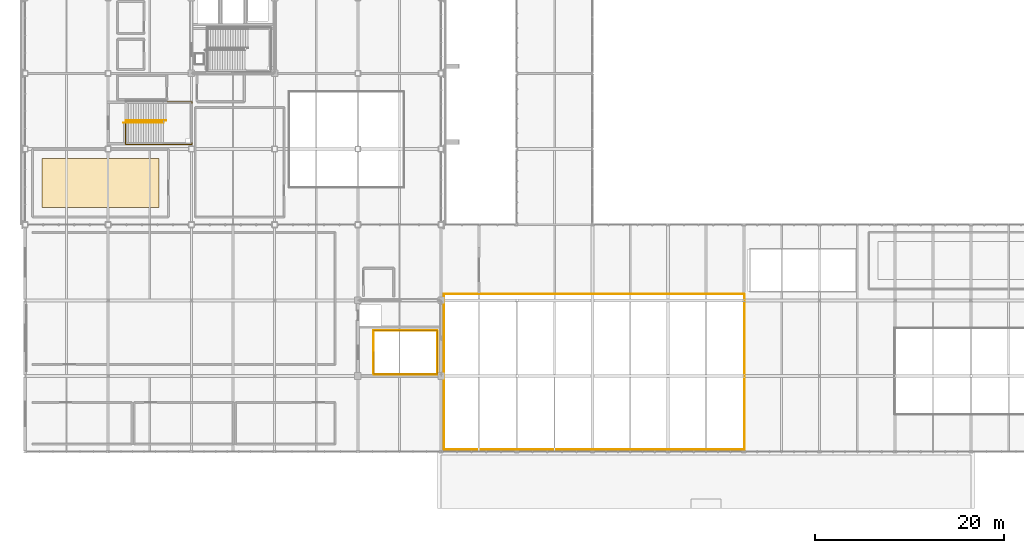
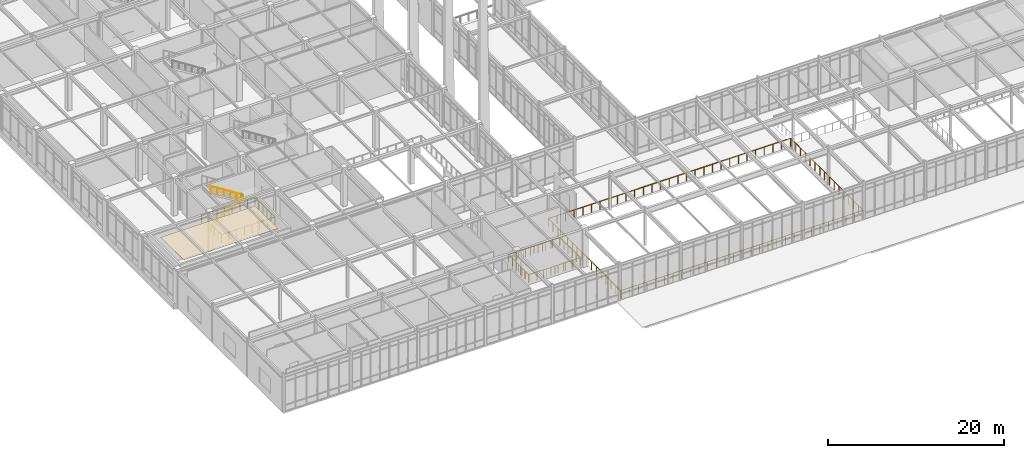
# One storey, part 172 of 184: 8 railings, 1 covering.
"""IFC4 building model written with IfcOpenShell, lengths in metres."""

from ifc_helpers import new_model, si_unit, direction, frame, origin, origin_2d, place, context, subcontext, project, spatial, rectangle, circle, extrude, material, layer, layer_set, type_object, element, save


model = new_model("IFC4")

# Units and contexts
model_context = context("Model", 3, precision=1e-05, world=origin(), true_north=direction((0.0, 1.0)))
body_context = subcontext(model_context, "Body", "Model", "MODEL_VIEW")
ifc_project = project(units=[si_unit("LENGTHUNIT", "METRE"), si_unit("AREAUNIT", "SQUARE_METRE"), si_unit("VOLUMEUNIT", "CUBIC_METRE"), si_unit("PLANEANGLEUNIT", "RADIAN"), si_unit("MASSUNIT", "GRAM", prefix="KILO")], contexts=[model_context])

# Site, building, storey
site_placement = place(None, origin())
site = spatial("IfcSite", under=ifc_project, at=site_placement, CompositionType="ELEMENT")
building_placement = place(site_placement, origin())
building = spatial("IfcBuilding", under=site, at=building_placement, Name="Zhaolan Boulevard Law Courts", CompositionType="ELEMENT")
storey_placement = place(building_placement, frame((0.0, 0.0, 5.39990234375)))
storey = spatial("IfcBuildingStorey", under=building, at=storey_placement, Name="L01", CompositionType="ELEMENT", Elevation=5.39990234375)

# Covering
ifc_material_1 = material(Name="Perforated acoustic gypsum and timber-slat ceiling", Category="wood")
ifc_layer = layer(ifc_material_1, 0.034912109375)
ifc_layer_set = layer_set([ifc_layer])
covering_type = type_object("IfcCoveringType", Name="ACOUSTIC CEILING 35", PredefinedType="CEILING", material=ifc_layer_set)
covering_placement = place(storey_placement, frame((8.0, 34.39990234375, 4.71240234375), z_axis=(0.0, 0.0, 1.0), x_axis=(1.0, 0.0, 0.0)))
element("IfcCovering", 1, at=covering_placement, inside=storey, type_object=covering_type, Name="Acoustic Baffle Ceiling CLG-06", PredefinedType="CEILING", context=body_context, shape_type="SweptSolid", body=[
    extrude(rectangle(XDim=12.39990234375, YDim=5.199951171875, at=origin_2d()), origin(), (0.0, 0.0, 1.0), 0.034912109375),
])

# Railings
ifc_material_2 = material(Name="Powder-coated steel and tempered laminated glass", Category="steel")
railing_type_1 = type_object("IfcRailingType", Name="INTERIOR GUARDRAIL 1150", PredefinedType="GUARDRAIL", material=ifc_material_2)
railing_1_placement = place(storey_placement, frame((36.909912109375, 14.169921875, 0.0)))
element("IfcRailing", 2, at=railing_1_placement, inside=storey, type_object=railing_type_1, Name="Atrium Gallery Guardrail VG-1-V4-3A", PredefinedType="GUARDRAIL", context=body_context, shape_type="SweptSolid", body=[
    extrude(circle(Radius=0.02490234375, at=origin_2d()), frame((0.0, 0.0, 1.125), z_axis=(1.0, 0.0, 0.0), x_axis=(0.0, 1.0, 0.0)), (0.0, 0.0, 1.0), 6.719970703125),
    extrude(circle(Radius=0.02490234375, at=origin_2d()), frame((6.719970703125, 0.0, 1.125), z_axis=(0.0, 1.0, 0.0), x_axis=(-1.0, 0.0, 0.0)), (0.0, 0.0, 1.0), 4.6201171875),
    extrude(circle(Radius=0.02099609375, at=origin_2d()), origin(), (0.0, 0.0, 1.0), 1.099853515625),
    extrude(circle(Radius=0.02099609375, at=origin_2d()), frame((1.1201171875, 0.0, 0.0)), (0.0, 0.0, 1.0), 1.099853515625),
    extrude(circle(Radius=0.02099609375, at=origin_2d()), frame((2.239990234375, 0.0, 0.0)), (0.0, 0.0, 1.0), 1.099853515625),
    extrude(circle(Radius=0.02099609375, at=origin_2d()), frame((3.35986328125, 0.0, 0.0)), (0.0, 0.0, 1.0), 1.099853515625),
    extrude(circle(Radius=0.02099609375, at=origin_2d()), frame((4.47998046875, 0.0, 0.0)), (0.0, 0.0, 1.0), 1.099853515625),
    extrude(circle(Radius=0.02099609375, at=origin_2d()), frame((5.60009765625, 0.0, 0.0)), (0.0, 0.0, 1.0), 1.099853515625),
    extrude(circle(Radius=0.02099609375, at=origin_2d()), frame((6.719970703125, 0.0, 0.0)), (0.0, 0.0, 1.0), 1.099853515625),
    extrude(circle(Radius=0.02099609375, at=origin_2d()), frame((6.719970703125, 0.924072265625, 0.0)), (0.0, 0.0, 1.0), 1.099853515625),
    extrude(circle(Radius=0.02099609375, at=origin_2d()), frame((6.719970703125, 1.84814453125, 0.0)), (0.0, 0.0, 1.0), 1.099853515625),
    extrude(circle(Radius=0.02099609375, at=origin_2d()), frame((6.719970703125, 2.77197265625, 0.0)), (0.0, 0.0, 1.0), 1.099853515625),
    extrude(circle(Radius=0.02099609375, at=origin_2d()), frame((6.719970703125, 3.696044921875, 0.0)), (0.0, 0.0, 1.0), 1.099853515625),
    extrude(circle(Radius=0.02099609375, at=origin_2d()), frame((6.719970703125, 4.6201171875, 0.0)), (0.0, 0.0, 1.0), 1.099853515625),
])
railing_2_placement = place(storey_placement, frame((43.570068359375, 18.830078125, 0.0)))
element("IfcRailing", 3, at=railing_2_placement, inside=storey, type_object=railing_type_1, Name="Atrium Gallery Guardrail VG-1-V4-3B", PredefinedType="GUARDRAIL", context=body_context, shape_type="SweptSolid", body=[
    extrude(circle(Radius=0.02490234375, at=origin_2d()), frame((0.0, 0.0, 1.125), z_axis=(-1.0, 0.0, 0.0), x_axis=(0.0, -1.0, 0.0)), (0.0, 0.0, 1.0), 6.699951171875),
    extrude(circle(Radius=0.02490234375, at=origin_2d()), frame((-6.699951171875, 0.0, 1.125), z_axis=(0.0, -1.0, 0.0), x_axis=(1.0, 0.0, 0.0)), (0.0, 0.0, 1.0), 4.60009765625),
    extrude(circle(Radius=0.02099609375, at=origin_2d()), origin(), (0.0, 0.0, 1.0), 1.099853515625),
    extrude(circle(Radius=0.02099609375, at=origin_2d()), frame((-1.11669921875, 0.0, 0.0)), (0.0, 0.0, 1.0), 1.099853515625),
    extrude(circle(Radius=0.02099609375, at=origin_2d()), frame((-2.2333984375, 0.0, 0.0)), (0.0, 0.0, 1.0), 1.099853515625),
    extrude(circle(Radius=0.02099609375, at=origin_2d()), frame((-3.35009765625, 0.0, 0.0)), (0.0, 0.0, 1.0), 1.099853515625),
    extrude(circle(Radius=0.02099609375, at=origin_2d()), frame((-4.466552734375, 0.0, 0.0)), (0.0, 0.0, 1.0), 1.099853515625),
    extrude(circle(Radius=0.02099609375, at=origin_2d()), frame((-5.583251953125, 0.0, 0.0)), (0.0, 0.0, 1.0), 1.099853515625),
    extrude(circle(Radius=0.02099609375, at=origin_2d()), frame((-6.699951171875, 0.0, 0.0)), (0.0, 0.0, 1.0), 1.099853515625),
    extrude(circle(Radius=0.02099609375, at=origin_2d()), frame((-6.699951171875, -0.919921875, 0.0)), (0.0, 0.0, 1.0), 1.099853515625),
    extrude(circle(Radius=0.02099609375, at=origin_2d()), frame((-6.699951171875, -1.840087890625, 0.0)), (0.0, 0.0, 1.0), 1.099853515625),
    extrude(circle(Radius=0.02099609375, at=origin_2d()), frame((-6.699951171875, -2.760009765625, 0.0)), (0.0, 0.0, 1.0), 1.099853515625),
    extrude(circle(Radius=0.02099609375, at=origin_2d()), frame((-6.699951171875, -3.68017578125, 0.0)), (0.0, 0.0, 1.0), 1.099853515625),
    extrude(circle(Radius=0.02099609375, at=origin_2d()), frame((-6.699951171875, -4.60009765625, 0.0)), (0.0, 0.0, 1.0), 1.099853515625),
])
railing_3_placement = place(storey_placement, frame((44.360107421875, 6.219970703125, 0.0)))
element("IfcRailing", 4, at=railing_3_placement, inside=storey, type_object=railing_type_1, Name="Atrium Gallery Guardrail VG-1-V4-6A", PredefinedType="GUARDRAIL", context=body_context, shape_type="SweptSolid", body=[
    extrude(circle(Radius=0.02490234375, at=origin_2d()), frame((0.0, 0.0, 1.125), z_axis=(1.0, 0.0, 0.0), x_axis=(0.0, 1.0, 0.0)), (0.0, 0.0, 1.0), 31.719970703125),
    extrude(circle(Radius=0.02490234375, at=origin_2d()), frame((31.719970703125, 0.0, 1.125), z_axis=(0.0, 1.0, 0.0), x_axis=(-1.0, 0.0, 0.0)), (0.0, 0.0, 1.0), 16.419921875),
    extrude(circle(Radius=0.02099609375, at=origin_2d()), origin(), (0.0, 0.0, 1.0), 1.099853515625),
    extrude(circle(Radius=0.02099609375, at=origin_2d()), frame((1.1328125, 0.0, 0.0)), (0.0, 0.0, 1.0), 1.099853515625),
    extrude(circle(Radius=0.02099609375, at=origin_2d()), frame((2.265625, 0.0, 0.0)), (0.0, 0.0, 1.0), 1.099853515625),
    extrude(circle(Radius=0.02099609375, at=origin_2d()), frame((3.398681640625, 0.0, 0.0)), (0.0, 0.0, 1.0), 1.099853515625),
    extrude(circle(Radius=0.02099609375, at=origin_2d()), frame((4.531494140625, 0.0, 0.0)), (0.0, 0.0, 1.0), 1.099853515625),
    extrude(circle(Radius=0.02099609375, at=origin_2d()), frame((5.664306640625, 0.0, 0.0)), (0.0, 0.0, 1.0), 1.099853515625),
    extrude(circle(Radius=0.02099609375, at=origin_2d()), frame((6.797119140625, 0.0, 0.0)), (0.0, 0.0, 1.0), 1.099853515625),
    extrude(circle(Radius=0.02099609375, at=origin_2d()), frame((7.929931640625, 0.0, 0.0)), (0.0, 0.0, 1.0), 1.099853515625),
    extrude(circle(Radius=0.02099609375, at=origin_2d()), frame((9.062744140625, 0.0, 0.0)), (0.0, 0.0, 1.0), 1.099853515625),
    extrude(circle(Radius=0.02099609375, at=origin_2d()), frame((10.19580078125, 0.0, 0.0)), (0.0, 0.0, 1.0), 1.099853515625),
    extrude(circle(Radius=0.02099609375, at=origin_2d()), frame((11.32861328125, 0.0, 0.0)), (0.0, 0.0, 1.0), 1.099853515625),
    extrude(circle(Radius=0.02099609375, at=origin_2d()), frame((12.46142578125, 0.0, 0.0)), (0.0, 0.0, 1.0), 1.099853515625),
    extrude(circle(Radius=0.02099609375, at=origin_2d()), frame((13.59423828125, 0.0, 0.0)), (0.0, 0.0, 1.0), 1.099853515625),
    extrude(circle(Radius=0.02099609375, at=origin_2d()), frame((14.72705078125, 0.0, 0.0)), (0.0, 0.0, 1.0), 1.099853515625),
    extrude(circle(Radius=0.02099609375, at=origin_2d()), frame((15.85986328125, 0.0, 0.0)), (0.0, 0.0, 1.0), 1.099853515625),
    extrude(circle(Radius=0.02099609375, at=origin_2d()), frame((16.992919921875, 0.0, 0.0)), (0.0, 0.0, 1.0), 1.099853515625),
    extrude(circle(Radius=0.02099609375, at=origin_2d()), frame((18.125732421875, 0.0, 0.0)), (0.0, 0.0, 1.0), 1.099853515625),
    extrude(circle(Radius=0.02099609375, at=origin_2d()), frame((19.258544921875, 0.0, 0.0)), (0.0, 0.0, 1.0), 1.099853515625),
    extrude(circle(Radius=0.02099609375, at=origin_2d()), frame((20.391357421875, 0.0, 0.0)), (0.0, 0.0, 1.0), 1.099853515625),
    extrude(circle(Radius=0.02099609375, at=origin_2d()), frame((21.524169921875, 0.0, 0.0)), (0.0, 0.0, 1.0), 1.099853515625),
    extrude(circle(Radius=0.02099609375, at=origin_2d()), frame((22.6572265625, 0.0, 0.0)), (0.0, 0.0, 1.0), 1.099853515625),
    extrude(circle(Radius=0.02099609375, at=origin_2d()), frame((23.7900390625, 0.0, 0.0)), (0.0, 0.0, 1.0), 1.099853515625),
    extrude(circle(Radius=0.02099609375, at=origin_2d()), frame((24.9228515625, 0.0, 0.0)), (0.0, 0.0, 1.0), 1.099853515625),
    extrude(circle(Radius=0.02099609375, at=origin_2d()), frame((26.0556640625, 0.0, 0.0)), (0.0, 0.0, 1.0), 1.099853515625),
    extrude(circle(Radius=0.02099609375, at=origin_2d()), frame((27.1884765625, 0.0, 0.0)), (0.0, 0.0, 1.0), 1.099853515625),
    extrude(circle(Radius=0.02099609375, at=origin_2d()), frame((28.3212890625, 0.0, 0.0)), (0.0, 0.0, 1.0), 1.099853515625),
    extrude(circle(Radius=0.02099609375, at=origin_2d()), frame((29.454345703125, 0.0, 0.0)), (0.0, 0.0, 1.0), 1.099853515625),
    extrude(circle(Radius=0.02099609375, at=origin_2d()), frame((30.587158203125, 0.0, 0.0)), (0.0, 0.0, 1.0), 1.099853515625),
    extrude(circle(Radius=0.02099609375, at=origin_2d()), frame((31.719970703125, 0.0, 0.0)), (0.0, 0.0, 1.0), 1.099853515625),
    extrude(circle(Radius=0.02099609375, at=origin_2d()), frame((31.719970703125, 1.0947265625, 0.0)), (0.0, 0.0, 1.0), 1.099853515625),
    extrude(circle(Radius=0.02099609375, at=origin_2d()), frame((31.719970703125, 2.189208984375, 0.0)), (0.0, 0.0, 1.0), 1.099853515625),
    extrude(circle(Radius=0.02099609375, at=origin_2d()), frame((31.719970703125, 3.283935546875, 0.0)), (0.0, 0.0, 1.0), 1.099853515625),
    extrude(circle(Radius=0.02099609375, at=origin_2d()), frame((31.719970703125, 4.378662109375, 0.0)), (0.0, 0.0, 1.0), 1.099853515625),
    extrude(circle(Radius=0.02099609375, at=origin_2d()), frame((31.719970703125, 5.473388671875, 0.0)), (0.0, 0.0, 1.0), 1.099853515625),
    extrude(circle(Radius=0.02099609375, at=origin_2d()), frame((31.719970703125, 6.56787109375, 0.0)), (0.0, 0.0, 1.0), 1.099853515625),
    extrude(circle(Radius=0.02099609375, at=origin_2d()), frame((31.719970703125, 7.66259765625, 0.0)), (0.0, 0.0, 1.0), 1.099853515625),
    extrude(circle(Radius=0.02099609375, at=origin_2d()), frame((31.719970703125, 8.75732421875, 0.0)), (0.0, 0.0, 1.0), 1.099853515625),
    extrude(circle(Radius=0.02099609375, at=origin_2d()), frame((31.719970703125, 9.85205078125, 0.0)), (0.0, 0.0, 1.0), 1.099853515625),
    extrude(circle(Radius=0.02099609375, at=origin_2d()), frame((31.719970703125, 10.946533203125, 0.0)), (0.0, 0.0, 1.0), 1.099853515625),
    extrude(circle(Radius=0.02099609375, at=origin_2d()), frame((31.719970703125, 12.041259765625, 0.0)), (0.0, 0.0, 1.0), 1.099853515625),
    extrude(circle(Radius=0.02099609375, at=origin_2d()), frame((31.719970703125, 13.135986328125, 0.0)), (0.0, 0.0, 1.0), 1.099853515625),
    extrude(circle(Radius=0.02099609375, at=origin_2d()), frame((31.719970703125, 14.230712890625, 0.0)), (0.0, 0.0, 1.0), 1.099853515625),
    extrude(circle(Radius=0.02099609375, at=origin_2d()), frame((31.719970703125, 15.3251953125, 0.0)), (0.0, 0.0, 1.0), 1.099853515625),
    extrude(circle(Radius=0.02099609375, at=origin_2d()), frame((31.719970703125, 16.419921875, 0.0)), (0.0, 0.0, 1.0), 1.099853515625),
])
railing_4_placement = place(storey_placement, frame((76.02001953125, 22.679931640625, 0.0)))
element("IfcRailing", 5, at=railing_4_placement, inside=storey, type_object=railing_type_1, Name="Atrium Gallery Guardrail VG-1-V4-6B", PredefinedType="GUARDRAIL", context=body_context, shape_type="SweptSolid", body=[
    extrude(circle(Radius=0.02490234375, at=origin_2d()), frame((0.0, 0.0, 1.125), z_axis=(-1.0, 0.0, 0.0), x_axis=(0.0, -1.0, 0.0)), (0.0, 0.0, 1.0), 31.699951171875),
    extrude(circle(Radius=0.02490234375, at=origin_2d()), frame((-31.699951171875, 0.0, 1.125), z_axis=(0.0, -1.0, 0.0), x_axis=(1.0, 0.0, 0.0)), (0.0, 0.0, 1.0), 16.39990234375),
    extrude(circle(Radius=0.02099609375, at=origin_2d()), origin(), (0.0, 0.0, 1.0), 1.099853515625),
    extrude(circle(Radius=0.02099609375, at=origin_2d()), frame((-1.132080078125, 0.0, 0.0)), (0.0, 0.0, 1.0), 1.099853515625),
    extrude(circle(Radius=0.02099609375, at=origin_2d()), frame((-2.26416015625, 0.0, 0.0)), (0.0, 0.0, 1.0), 1.099853515625),
    extrude(circle(Radius=0.02099609375, at=origin_2d()), frame((-3.396484375, 0.0, 0.0)), (0.0, 0.0, 1.0), 1.099853515625),
    extrude(circle(Radius=0.02099609375, at=origin_2d()), frame((-4.528564453125, 0.0, 0.0)), (0.0, 0.0, 1.0), 1.099853515625),
    extrude(circle(Radius=0.02099609375, at=origin_2d()), frame((-5.66064453125, 0.0, 0.0)), (0.0, 0.0, 1.0), 1.099853515625),
    extrude(circle(Radius=0.02099609375, at=origin_2d()), frame((-6.79296875, 0.0, 0.0)), (0.0, 0.0, 1.0), 1.099853515625),
    extrude(circle(Radius=0.02099609375, at=origin_2d()), frame((-7.925048828125, 0.0, 0.0)), (0.0, 0.0, 1.0), 1.099853515625),
    extrude(circle(Radius=0.02099609375, at=origin_2d()), frame((-9.05712890625, 0.0, 0.0)), (0.0, 0.0, 1.0), 1.099853515625),
    extrude(circle(Radius=0.02099609375, at=origin_2d()), frame((-10.189208984375, 0.0, 0.0)), (0.0, 0.0, 1.0), 1.099853515625),
    extrude(circle(Radius=0.02099609375, at=origin_2d()), frame((-11.3212890625, 0.0, 0.0)), (0.0, 0.0, 1.0), 1.099853515625),
    extrude(circle(Radius=0.02099609375, at=origin_2d()), frame((-12.45361328125, 0.0, 0.0)), (0.0, 0.0, 1.0), 1.099853515625),
    extrude(circle(Radius=0.02099609375, at=origin_2d()), frame((-13.585693359375, 0.0, 0.0)), (0.0, 0.0, 1.0), 1.099853515625),
    extrude(circle(Radius=0.02099609375, at=origin_2d()), frame((-14.7177734375, 0.0, 0.0)), (0.0, 0.0, 1.0), 1.099853515625),
    extrude(circle(Radius=0.02099609375, at=origin_2d()), frame((-15.85009765625, 0.0, 0.0)), (0.0, 0.0, 1.0), 1.099853515625),
    extrude(circle(Radius=0.02099609375, at=origin_2d()), frame((-16.982177734375, 0.0, 0.0)), (0.0, 0.0, 1.0), 1.099853515625),
    extrude(circle(Radius=0.02099609375, at=origin_2d()), frame((-18.1142578125, 0.0, 0.0)), (0.0, 0.0, 1.0), 1.099853515625),
    extrude(circle(Radius=0.02099609375, at=origin_2d()), frame((-19.246337890625, 0.0, 0.0)), (0.0, 0.0, 1.0), 1.099853515625),
    extrude(circle(Radius=0.02099609375, at=origin_2d()), frame((-20.37841796875, 0.0, 0.0)), (0.0, 0.0, 1.0), 1.099853515625),
    extrude(circle(Radius=0.02099609375, at=origin_2d()), frame((-21.5107421875, 0.0, 0.0)), (0.0, 0.0, 1.0), 1.099853515625),
    extrude(circle(Radius=0.02099609375, at=origin_2d()), frame((-22.642822265625, 0.0, 0.0)), (0.0, 0.0, 1.0), 1.099853515625),
    extrude(circle(Radius=0.02099609375, at=origin_2d()), frame((-23.77490234375, 0.0, 0.0)), (0.0, 0.0, 1.0), 1.099853515625),
    extrude(circle(Radius=0.02099609375, at=origin_2d()), frame((-24.9072265625, 0.0, 0.0)), (0.0, 0.0, 1.0), 1.099853515625),
    extrude(circle(Radius=0.02099609375, at=origin_2d()), frame((-26.039306640625, 0.0, 0.0)), (0.0, 0.0, 1.0), 1.099853515625),
    extrude(circle(Radius=0.02099609375, at=origin_2d()), frame((-27.17138671875, 0.0, 0.0)), (0.0, 0.0, 1.0), 1.099853515625),
    extrude(circle(Radius=0.02099609375, at=origin_2d()), frame((-28.303466796875, 0.0, 0.0)), (0.0, 0.0, 1.0), 1.099853515625),
    extrude(circle(Radius=0.02099609375, at=origin_2d()), frame((-29.435546875, 0.0, 0.0)), (0.0, 0.0, 1.0), 1.099853515625),
    extrude(circle(Radius=0.02099609375, at=origin_2d()), frame((-30.56787109375, 0.0, 0.0)), (0.0, 0.0, 1.0), 1.099853515625),
    extrude(circle(Radius=0.02099609375, at=origin_2d()), frame((-31.699951171875, 0.0, 0.0)), (0.0, 0.0, 1.0), 1.099853515625),
    extrude(circle(Radius=0.02099609375, at=origin_2d()), frame((-31.699951171875, -1.09326171875, 0.0)), (0.0, 0.0, 1.0), 1.099853515625),
    extrude(circle(Radius=0.02099609375, at=origin_2d()), frame((-31.699951171875, -2.186767578125, 0.0)), (0.0, 0.0, 1.0), 1.099853515625),
    extrude(circle(Radius=0.02099609375, at=origin_2d()), frame((-31.699951171875, -3.280029296875, 0.0)), (0.0, 0.0, 1.0), 1.099853515625),
    extrude(circle(Radius=0.02099609375, at=origin_2d()), frame((-31.699951171875, -4.373291015625, 0.0)), (0.0, 0.0, 1.0), 1.099853515625),
    extrude(circle(Radius=0.02099609375, at=origin_2d()), frame((-31.699951171875, -5.466552734375, 0.0)), (0.0, 0.0, 1.0), 1.099853515625),
    extrude(circle(Radius=0.02099609375, at=origin_2d()), frame((-31.699951171875, -6.56005859375, 0.0)), (0.0, 0.0, 1.0), 1.099853515625),
    extrude(circle(Radius=0.02099609375, at=origin_2d()), frame((-31.699951171875, -7.6533203125, 0.0)), (0.0, 0.0, 1.0), 1.099853515625),
    extrude(circle(Radius=0.02099609375, at=origin_2d()), frame((-31.699951171875, -8.74658203125, 0.0)), (0.0, 0.0, 1.0), 1.099853515625),
    extrude(circle(Radius=0.02099609375, at=origin_2d()), frame((-31.699951171875, -9.83984375, 0.0)), (0.0, 0.0, 1.0), 1.099853515625),
    extrude(circle(Radius=0.02099609375, at=origin_2d()), frame((-31.699951171875, -10.933349609375, 0.0)), (0.0, 0.0, 1.0), 1.099853515625),
    extrude(circle(Radius=0.02099609375, at=origin_2d()), frame((-31.699951171875, -12.026611328125, 0.0)), (0.0, 0.0, 1.0), 1.099853515625),
    extrude(circle(Radius=0.02099609375, at=origin_2d()), frame((-31.699951171875, -13.119873046875, 0.0)), (0.0, 0.0, 1.0), 1.099853515625),
    extrude(circle(Radius=0.02099609375, at=origin_2d()), frame((-31.699951171875, -14.213134765625, 0.0)), (0.0, 0.0, 1.0), 1.099853515625),
    extrude(circle(Radius=0.02099609375, at=origin_2d()), frame((-31.699951171875, -15.306640625, 0.0)), (0.0, 0.0, 1.0), 1.099853515625),
    extrude(circle(Radius=0.02099609375, at=origin_2d()), frame((-31.699951171875, -16.39990234375, 0.0)), (0.0, 0.0, 1.0), 1.099853515625),
])
ifc_material_3 = material(Name="Brushed stainless steel tubular handrail", Category="steel")
railing_type_2 = type_object("IfcRailingType", Name="STAIR HANDRAIL 900", PredefinedType="HANDRAIL", material=ifc_material_3)
railing_5_placement = place(storey_placement, frame((10.39990234375, 40.780029296875, 0.0)))
element("IfcRailing", 6, at=railing_5_placement, inside=storey, type_object=railing_type_2, Name="Stair Handrail HR-ST03-L01-1", PredefinedType="HANDRAIL", context=body_context, shape_type="SweptSolid", body=[
    extrude(circle(Radius=0.0224609375, at=origin_2d()), frame((0.0, 0.0, 0.87744140625), z_axis=(0.843479452326, 0.0, 0.53716144082), x_axis=(0.0, 1.0, 0.0)), (0.0, 0.0, 1.0), 5.02685546875),
    extrude(circle(Radius=0.01904296875, at=origin_2d()), origin(), (0.0, 0.0, 1.0), 0.85498046875),
    extrude(circle(Radius=0.01904296875, at=origin_2d()), frame((0.847900390625, 0.0, 0.5400390625)), (0.0, 0.0, 1.0), 0.85498046875),
    extrude(circle(Radius=0.01904296875, at=origin_2d()), frame((1.696044921875, 0.0, 1.080078125)), (0.0, 0.0, 1.0), 0.85498046875),
    extrude(circle(Radius=0.01904296875, at=origin_2d()), frame((2.5439453125, 0.0, 1.6201171875)), (0.0, 0.0, 1.0), 0.85498046875),
    extrude(circle(Radius=0.01904296875, at=origin_2d()), frame((3.39208984375, 0.0, 2.16015625)), (0.0, 0.0, 1.0), 0.85498046875),
    extrude(circle(Radius=0.01904296875, at=origin_2d()), frame((4.239990234375, 0.0, 2.7001953125)), (0.0, 0.0, 1.0), 0.85498046875),
])
railing_6_placement = place(storey_placement, frame((14.925048828125, 41.0, 2.7001953125)))
element("IfcRailing", 7, at=railing_6_placement, inside=storey, type_object=railing_type_2, Name="Stair Handrail HR-ST03-L01-2", PredefinedType="HANDRAIL", context=body_context, shape_type="SweptSolid", body=[
    extrude(circle(Radius=0.0224609375, at=origin_2d()), frame((0.0, 0.0, 0.87744140625), z_axis=(-0.843501457581, 0.0, 0.537126885437), x_axis=(0.0, -1.0, 0.0)), (0.0, 0.0, 1.0), 5.026611328125),
    extrude(circle(Radius=0.01904296875, at=origin_2d()), origin(), (0.0, 0.0, 1.0), 0.85498046875),
    extrude(circle(Radius=0.01904296875, at=origin_2d()), frame((-0.847900390625, 0.0, 0.5400390625)), (0.0, 0.0, 1.0), 0.85498046875),
    extrude(circle(Radius=0.01904296875, at=origin_2d()), frame((-1.696044921875, 0.0, 1.080078125)), (0.0, 0.0, 1.0), 0.85498046875),
    extrude(circle(Radius=0.01904296875, at=origin_2d()), frame((-2.5439453125, 0.0, 1.619873046875)), (0.0, 0.0, 1.0), 0.85498046875),
    extrude(circle(Radius=0.01904296875, at=origin_2d()), frame((-3.39208984375, 0.0, 2.159912109375)), (0.0, 0.0, 1.0), 0.85498046875),
    extrude(circle(Radius=0.01904296875, at=origin_2d()), frame((-4.239990234375, 0.0, 2.699951171875)), (0.0, 0.0, 1.0), 0.85498046875),
])
ifc_material_4 = material(Name="Powder-coated steel baluster guardrail", Category="steel")
railing_type_3 = type_object("IfcRailingType", Name="STAIR WELL GUARDRAIL 1120", PredefinedType="GUARDRAIL", material=ifc_material_4)
railing_7_placement = place(storey_placement, frame((10.639892578125, 40.830078125, 0.0)))
element("IfcRailing", 8, at=railing_7_placement, inside=storey, type_object=railing_type_3, Name="Stair-Well Floor Guardrail WG-ST03-L00", PredefinedType="GUARDRAIL", context=body_context, shape_type="SweptSolid", body=[
    extrude(circle(Radius=0.02392578125, at=origin_2d()), frame((0.0, 0.0, 1.09619140625), z_axis=(0.0, -1.0, 0.0), x_axis=(1.0, 0.0, 0.0)), (0.0, 0.0, 1.0), 2.330078125),
    extrude(circle(Radius=0.02392578125, at=origin_2d()), frame((0.0, -2.330078125, 1.09619140625), z_axis=(1.0, 0.0, 0.0), x_axis=(0.0, 1.0, 0.0)), (0.0, 0.0, 1.0), 7.010009765625),
    extrude(circle(Radius=0.02392578125, at=origin_2d()), frame((7.010009765625, -2.330078125, 1.09619140625), z_axis=(0.0, 1.0, 0.0), x_axis=(-1.0, 0.0, 0.0)), (0.0, 0.0, 1.0), 4.5),
    extrude(circle(Radius=0.02392578125, at=origin_2d()), frame((7.010009765625, 2.169921875, 1.09619140625), z_axis=(-1.0, 0.0, 0.0), x_axis=(0.0, -1.0, 0.0)), (0.0, 0.0, 1.0), 7.010009765625),
    extrude(circle(Radius=0.02392578125, at=origin_2d()), frame((0.0, 2.169921875, 1.09619140625), z_axis=(0.0, 1.0, 0.0), x_axis=(-1.0, 0.0, 0.0)), (0.0, 0.0, 1.0), 0.06005859375),
    extrude(circle(Radius=0.02099609375, at=origin_2d()), origin(), (0.0, 0.0, 1.0), 1.072021484375),
    extrude(circle(Radius=0.02099609375, at=origin_2d()), frame((0.0, -0.776611328125, 0.0)), (0.0, 0.0, 1.0), 1.072021484375),
    extrude(circle(Radius=0.02099609375, at=origin_2d()), frame((0.0, -1.553466796875, 0.0)), (0.0, 0.0, 1.0), 1.072021484375),
    extrude(circle(Radius=0.02099609375, at=origin_2d()), frame((0.0, -2.330078125, 0.0)), (0.0, 0.0, 1.0), 1.072021484375),
    extrude(circle(Radius=0.02099609375, at=origin_2d()), frame((1.00146484375, -2.330078125, 0.0)), (0.0, 0.0, 1.0), 1.072021484375),
    extrude(circle(Radius=0.02099609375, at=origin_2d()), frame((2.0029296875, -2.330078125, 0.0)), (0.0, 0.0, 1.0), 1.072021484375),
    extrude(circle(Radius=0.02099609375, at=origin_2d()), frame((3.00439453125, -2.330078125, 0.0)), (0.0, 0.0, 1.0), 1.072021484375),
    extrude(circle(Radius=0.02099609375, at=origin_2d()), frame((4.005615234375, -2.330078125, 0.0)), (0.0, 0.0, 1.0), 1.072021484375),
    extrude(circle(Radius=0.02099609375, at=origin_2d()), frame((5.007080078125, -2.330078125, 0.0)), (0.0, 0.0, 1.0), 1.072021484375),
    extrude(circle(Radius=0.02099609375, at=origin_2d()), frame((6.008544921875, -2.330078125, 0.0)), (0.0, 0.0, 1.0), 1.072021484375),
    extrude(circle(Radius=0.02099609375, at=origin_2d()), frame((7.010009765625, -2.330078125, 0.0)), (0.0, 0.0, 1.0), 1.072021484375),
    extrude(circle(Radius=0.02099609375, at=origin_2d()), frame((7.010009765625, -1.43017578125, 0.0)), (0.0, 0.0, 1.0), 1.072021484375),
    extrude(circle(Radius=0.02099609375, at=origin_2d()), frame((7.010009765625, -0.530029296875, 0.0)), (0.0, 0.0, 1.0), 1.072021484375),
    extrude(circle(Radius=0.02099609375, at=origin_2d()), frame((7.010009765625, 0.369873046875, 0.0)), (0.0, 0.0, 1.0), 1.072021484375),
    extrude(circle(Radius=0.02099609375, at=origin_2d()), frame((7.010009765625, 1.27001953125, 0.0)), (0.0, 0.0, 1.0), 1.072021484375),
    extrude(circle(Radius=0.02099609375, at=origin_2d()), frame((7.010009765625, 2.169921875, 0.0)), (0.0, 0.0, 1.0), 1.072021484375),
    extrude(circle(Radius=0.02099609375, at=origin_2d()), frame((6.008544921875, 2.169921875, 0.0)), (0.0, 0.0, 1.0), 1.072021484375),
    extrude(circle(Radius=0.02099609375, at=origin_2d()), frame((5.007080078125, 2.169921875, 0.0)), (0.0, 0.0, 1.0), 1.072021484375),
    extrude(circle(Radius=0.02099609375, at=origin_2d()), frame((4.005615234375, 2.169921875, 0.0)), (0.0, 0.0, 1.0), 1.072021484375),
    extrude(circle(Radius=0.02099609375, at=origin_2d()), frame((3.00439453125, 2.169921875, 0.0)), (0.0, 0.0, 1.0), 1.072021484375),
    extrude(circle(Radius=0.02099609375, at=origin_2d()), frame((2.0029296875, 2.169921875, 0.0)), (0.0, 0.0, 1.0), 1.072021484375),
    extrude(circle(Radius=0.02099609375, at=origin_2d()), frame((1.00146484375, 2.169921875, 0.0)), (0.0, 0.0, 1.0), 1.072021484375),
    extrude(circle(Radius=0.02099609375, at=origin_2d()), frame((0.0, 2.169921875, 0.0)), (0.0, 0.0, 1.0), 1.072021484375),
    extrude(circle(Radius=0.02099609375, at=origin_2d()), frame((0.0, 2.22998046875, 0.0)), (0.0, 0.0, 1.0), 1.072021484375),
])
railing_8_placement = place(storey_placement, frame((36.889892578125, 16.56005859375, 0.0)))
element("IfcRailing", 9, at=railing_8_placement, inside=storey, type_object=railing_type_3, Name="Stair-Well Floor Guardrail WG-ST04-L00", PredefinedType="GUARDRAIL", context=body_context, shape_type="SweptSolid", body=[
    extrude(circle(Radius=0.02392578125, at=origin_2d()), frame((0.0, 0.0, 1.09619140625), z_axis=(0.0, -1.0, 0.0), x_axis=(1.0, 0.0, 0.0)), (0.0, 0.0, 1.0), 2.360107421875),
    extrude(circle(Radius=0.02392578125, at=origin_2d()), frame((0.0, -2.360107421875, 1.09619140625), z_axis=(1.0, 0.0, 0.0), x_axis=(0.0, 1.0, 0.0)), (0.0, 0.0, 1.0), 6.710205078125),
    extrude(circle(Radius=0.02392578125, at=origin_2d()), frame((6.710205078125, -2.360107421875, 1.09619140625), z_axis=(0.0, 1.0, 0.0), x_axis=(-1.0, 0.0, 0.0)), (0.0, 0.0, 1.0), 4.60009765625),
    extrude(circle(Radius=0.02392578125, at=origin_2d()), frame((6.710205078125, 2.239990234375, 1.09619140625), z_axis=(-1.0, 0.0, 0.0), x_axis=(0.0, -1.0, 0.0)), (0.0, 0.0, 1.0), 6.710205078125),
    extrude(circle(Radius=0.02392578125, at=origin_2d()), frame((0.0, 2.239990234375, 1.09619140625), z_axis=(0.0, 1.0, 0.0), x_axis=(-1.0, 0.0, 0.0)), (0.0, 0.0, 1.0), 0.02001953125),
    extrude(circle(Radius=0.02099609375, at=origin_2d()), origin(), (0.0, 0.0, 1.0), 1.072021484375),
    extrude(circle(Radius=0.02099609375, at=origin_2d()), frame((0.0, -0.78662109375, 0.0)), (0.0, 0.0, 1.0), 1.072021484375),
    extrude(circle(Radius=0.02099609375, at=origin_2d()), frame((0.0, -1.573486328125, 0.0)), (0.0, 0.0, 1.0), 1.072021484375),
    extrude(circle(Radius=0.02099609375, at=origin_2d()), frame((0.0, -2.360107421875, 0.0)), (0.0, 0.0, 1.0), 1.072021484375),
    extrude(circle(Radius=0.02099609375, at=origin_2d()), frame((0.95849609375, -2.360107421875, 0.0)), (0.0, 0.0, 1.0), 1.072021484375),
    extrude(circle(Radius=0.02099609375, at=origin_2d()), frame((1.917236328125, -2.360107421875, 0.0)), (0.0, 0.0, 1.0), 1.072021484375),
    extrude(circle(Radius=0.02099609375, at=origin_2d()), frame((2.875732421875, -2.360107421875, 0.0)), (0.0, 0.0, 1.0), 1.072021484375),
    extrude(circle(Radius=0.02099609375, at=origin_2d()), frame((3.83447265625, -2.360107421875, 0.0)), (0.0, 0.0, 1.0), 1.072021484375),
    extrude(circle(Radius=0.02099609375, at=origin_2d()), frame((4.79296875, -2.360107421875, 0.0)), (0.0, 0.0, 1.0), 1.072021484375),
    extrude(circle(Radius=0.02099609375, at=origin_2d()), frame((5.751708984375, -2.360107421875, 0.0)), (0.0, 0.0, 1.0), 1.072021484375),
    extrude(circle(Radius=0.02099609375, at=origin_2d()), frame((6.710205078125, -2.360107421875, 0.0)), (0.0, 0.0, 1.0), 1.072021484375),
    extrude(circle(Radius=0.02099609375, at=origin_2d()), frame((6.710205078125, -1.440185546875, 0.0)), (0.0, 0.0, 1.0), 1.072021484375),
    extrude(circle(Radius=0.02099609375, at=origin_2d()), frame((6.710205078125, -0.52001953125, 0.0)), (0.0, 0.0, 1.0), 1.072021484375),
    extrude(circle(Radius=0.02099609375, at=origin_2d()), frame((6.710205078125, 0.39990234375, 0.0)), (0.0, 0.0, 1.0), 1.072021484375),
    extrude(circle(Radius=0.02099609375, at=origin_2d()), frame((6.710205078125, 1.320068359375, 0.0)), (0.0, 0.0, 1.0), 1.072021484375),
    extrude(circle(Radius=0.02099609375, at=origin_2d()), frame((6.710205078125, 2.239990234375, 0.0)), (0.0, 0.0, 1.0), 1.072021484375),
    extrude(circle(Radius=0.02099609375, at=origin_2d()), frame((5.751708984375, 2.239990234375, 0.0)), (0.0, 0.0, 1.0), 1.072021484375),
    extrude(circle(Radius=0.02099609375, at=origin_2d()), frame((4.79296875, 2.239990234375, 0.0)), (0.0, 0.0, 1.0), 1.072021484375),
    extrude(circle(Radius=0.02099609375, at=origin_2d()), frame((3.83447265625, 2.239990234375, 0.0)), (0.0, 0.0, 1.0), 1.072021484375),
    extrude(circle(Radius=0.02099609375, at=origin_2d()), frame((2.875732421875, 2.239990234375, 0.0)), (0.0, 0.0, 1.0), 1.072021484375),
    extrude(circle(Radius=0.02099609375, at=origin_2d()), frame((1.917236328125, 2.239990234375, 0.0)), (0.0, 0.0, 1.0), 1.072021484375),
    extrude(circle(Radius=0.02099609375, at=origin_2d()), frame((0.95849609375, 2.239990234375, 0.0)), (0.0, 0.0, 1.0), 1.072021484375),
    extrude(circle(Radius=0.02099609375, at=origin_2d()), frame((0.0, 2.239990234375, 0.0)), (0.0, 0.0, 1.0), 1.072021484375),
    extrude(circle(Radius=0.02099609375, at=origin_2d()), frame((0.0, 2.260009765625, 0.0)), (0.0, 0.0, 1.0), 1.072021484375),
])

save(model, "model.ifc")
